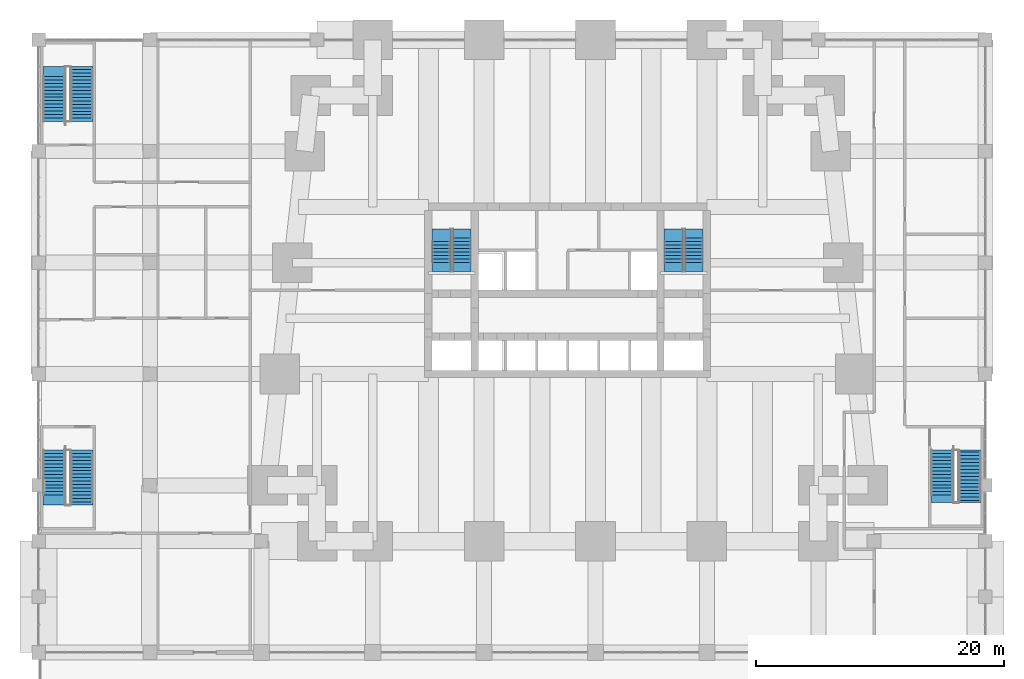
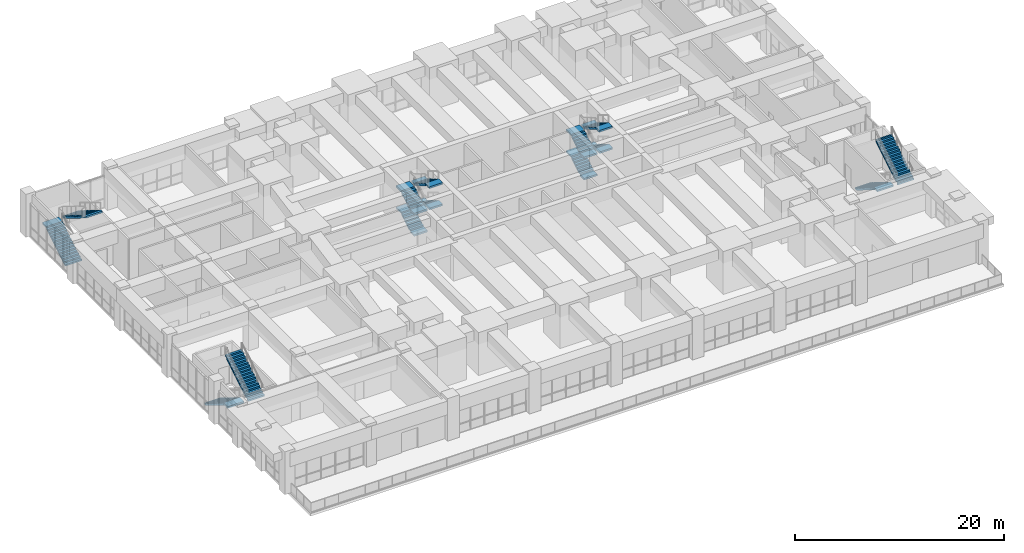
# One storey, part 24 of 27: 14 stair flights, 5 elements without a shape of their own.
"""IFC4 building model written with IfcOpenShell, lengths in metres."""

from ifc_helpers import new_model, si_unit, direction, frame, origin, place, context, subcontext, project, spatial, polyline, outline, extrude, material, type_object, element, aggregate, save


model = new_model("IFC4")

# Units and contexts
model_context = context("Model", 3, precision=1e-05, world=origin(), true_north=direction((0.0, 1.0)))
body_context = subcontext(model_context, "Body", "Model", "MODEL_VIEW")
ifc_project = project(units=[si_unit("LENGTHUNIT", "METRE"), si_unit("AREAUNIT", "SQUARE_METRE"), si_unit("VOLUMEUNIT", "CUBIC_METRE"), si_unit("PLANEANGLEUNIT", "RADIAN"), si_unit("MASSUNIT", "GRAM", prefix="KILO")], contexts=[model_context])

# Site, building, storey
site_placement = place(None, origin())
site = spatial("IfcSite", under=ifc_project, at=site_placement, CompositionType="ELEMENT")
building_placement = place(site_placement, origin())
building = spatial("IfcBuilding", under=site, at=building_placement, Name="Kilele Tower Hotel", CompositionType="ELEMENT")
storey_placement = place(building_placement, frame((0.0, 0.0, 6.0)))
storey = spatial("IfcBuildingStorey", under=building, at=storey_placement, Name="L01", CompositionType="ELEMENT", Elevation=6.0)

# Stair, stair flights
ifc_material_1 = material(Name="Precast concrete C40/50", Category="concrete")
stair_type_1 = type_object("IfcStairType", Name="Stair 1475 x 5000", PredefinedType="HALF_TURN_STAIR", material=ifc_material_1)
stair_1_placement = place(storey_placement, origin())
stair_1 = element("IfcStair", 1, at=stair_1_placement, inside=storey, type_object=stair_type_1, Name="Stair 1 L01", PredefinedType="HALF_TURN_STAIR")
ifc_material_2 = material(Name="Precast concrete C40/50", Category="concrete")
stair_flight_type_1 = type_object("IfcStairFlightType", Name="Flight 1475 riser 166.7", PredefinedType="STRAIGHT", material=ifc_material_2)
stair_flight_1_placement = place(storey_placement, frame((14.53759765625, 22.52001953125, 0.0), z_axis=(0.0, 0.0, 1.0), x_axis=(0.0, 1.0, 0.0)))
stair_flight_1 = element("IfcStairFlight", 2, at=stair_flight_1_placement, type_object=stair_flight_type_1, Name="ST1 flight 1", NumberOfRisers=7, NumberOfTreads=6, PredefinedType="STRAIGHT", RiserHeight=0.166666667, TreadLength=0.28, context=body_context, shape_type="SweptSolid", body=[
    extrude(outline(polyline([(0.0, 0.0), (0.0, 0.166748046875), (0.280029296875, 0.166748046875), (0.280029296875, 0.333251953125), (0.56005859375, 0.333251953125), (0.56005859375, 0.5), (0.840087890625, 0.5), (0.840087890625, 0.666748046875), (1.1201171875, 0.666748046875), (1.1201171875, 0.833251953125), (1.39990234375, 0.833251953125), (1.39990234375, 1.0), (1.679931640625, 1.0), (1.679931640625, 1.166748046875), (1.679931640625, 0.825439453125), (0.29296875, 0.0), (0.0, 0.0)])), frame((0.0, 0.737548828125, 0.0), z_axis=(0.0, -1.0, 0.0), x_axis=(1.0, 0.0, 0.0)), (0.0, 0.0, 1.0), 1.47509765625),
    extrude(outline(polyline([(-0.7451171875, 0.737548828125), (-0.7451171875, -0.7373046875), (0.0, -0.7373046875), (0.0, 0.737548828125), (-0.7451171875, 0.737548828125)])), frame((0.0, 0.0, -0.199951171875)), (0.0, 0.0, 1.0), 0.199951171875),
    extrude(outline(polyline([(1.679931640625, 0.737548828125), (1.679931640625, -0.7373046875), (2.705078125, -0.7373046875), (2.705078125, 0.737548828125), (1.679931640625, 0.737548828125)])), frame((0.0, 0.0, 0.966796875)), (0.0, 0.0, 1.0), 0.199951171875),
])
stair_flight_2_placement = place(storey_placement, frame((16.21240234375, 24.47998046875, 1.166748046875), z_axis=(0.0, 0.0, 1.0), x_axis=(0.0, -1.0, 0.0)))
stair_flight_2 = element("IfcStairFlight", 3, at=stair_flight_2_placement, type_object=stair_flight_type_1, Name="ST1 flight 2", NumberOfRisers=8, NumberOfTreads=7, PredefinedType="STRAIGHT", RiserHeight=0.166666667, TreadLength=0.28, context=body_context, shape_type="SweptSolid", body=[
    extrude(outline(polyline([(0.0, 0.0), (0.0, 0.166748046875), (0.280029296875, 0.166748046875), (0.280029296875, 0.333251953125), (0.56005859375, 0.333251953125), (0.56005859375, 0.5), (0.840087890625, 0.5), (0.840087890625, 0.666748046875), (1.1201171875, 0.666748046875), (1.1201171875, 0.833251953125), (1.39990234375, 0.833251953125), (1.39990234375, 1.0), (1.679931640625, 1.0), (1.679931640625, 1.166748046875), (1.9599609375, 1.166748046875), (1.9599609375, 1.333251953125), (1.9599609375, 0.9921875), (0.29296875, 0.0), (0.0, 0.0)])), frame((0.0, 0.737548828125, 0.0), z_axis=(0.0, -1.0, 0.0), x_axis=(1.0, 0.0, 0.0)), (0.0, 0.0, 1.0), 1.47509765625),
    extrude(outline(polyline([(0.0, -0.7373046875), (0.0, 0.737548828125), (-0.7451171875, 0.737548828125), (-0.7451171875, -0.7373046875), (0.0, -0.7373046875)])), frame((0.0, 0.0, -0.199951171875)), (0.0, 0.0, 1.0), 0.199951171875),
    extrude(outline(polyline([(2.705078125, -0.7373046875), (2.705078125, 0.737548828125), (1.9599609375, 0.737548828125), (1.9599609375, -0.7373046875), (2.705078125, -0.7373046875)])), frame((0.0, 0.0, 1.13330078125)), (0.0, 0.0, 1.0), 0.199951171875),
])
stair_flight_3_placement = place(storey_placement, frame((14.53759765625, 22.52001953125, 2.5), z_axis=(0.0, 0.0, 1.0), x_axis=(0.0, 1.0, 0.0)))
stair_flight_3 = element("IfcStairFlight", 4, at=stair_flight_3_placement, type_object=stair_flight_type_1, Name="ST1 flight 3", NumberOfRisers=7, NumberOfTreads=6, PredefinedType="STRAIGHT", RiserHeight=0.166666667, TreadLength=0.28, context=body_context, shape_type="SweptSolid", body=[
    extrude(outline(polyline([(0.0, 0.0), (0.0, 0.166748046875), (0.280029296875, 0.166748046875), (0.280029296875, 0.333251953125), (0.56005859375, 0.333251953125), (0.56005859375, 0.5), (0.840087890625, 0.5), (0.840087890625, 0.666748046875), (1.1201171875, 0.666748046875), (1.1201171875, 0.833251953125), (1.39990234375, 0.833251953125), (1.39990234375, 1.0), (1.679931640625, 1.0), (1.679931640625, 1.166748046875), (1.679931640625, 0.825439453125), (0.29296875, 0.0), (0.0, 0.0)])), frame((0.0, 0.737548828125, 0.0), z_axis=(0.0, -1.0, 0.0), x_axis=(1.0, 0.0, 0.0)), (0.0, 0.0, 1.0), 1.47509765625),
    extrude(outline(polyline([(-0.7451171875, 0.737548828125), (-0.7451171875, -0.7373046875), (0.0, -0.7373046875), (0.0, 0.737548828125), (-0.7451171875, 0.737548828125)])), frame((0.0, 0.0, -0.199951171875)), (0.0, 0.0, 1.0), 0.199951171875),
    extrude(outline(polyline([(1.679931640625, 0.737548828125), (1.679931640625, -0.7373046875), (2.705078125, -0.7373046875), (2.705078125, 0.737548828125), (1.679931640625, 0.737548828125)])), frame((0.0, 0.0, 0.966796875)), (0.0, 0.0, 1.0), 0.199951171875),
])
stair_flight_4_placement = place(storey_placement, frame((16.21240234375, 24.47998046875, 3.666748046875), z_axis=(0.0, 0.0, 1.0), x_axis=(0.0, -1.0, 0.0)))
stair_flight_4 = element("IfcStairFlight", 5, at=stair_flight_4_placement, type_object=stair_flight_type_1, Name="ST1 flight 4", NumberOfRisers=8, NumberOfTreads=7, PredefinedType="STRAIGHT", RiserHeight=0.166666667, TreadLength=0.28, context=body_context, shape_type="SweptSolid", body=[
    extrude(outline(polyline([(0.0, 0.0), (0.0, 0.166748046875), (0.280029296875, 0.166748046875), (0.280029296875, 0.333251953125), (0.56005859375, 0.333251953125), (0.56005859375, 0.5), (0.840087890625, 0.5), (0.840087890625, 0.666748046875), (1.1201171875, 0.666748046875), (1.1201171875, 0.833251953125), (1.39990234375, 0.833251953125), (1.39990234375, 1.0), (1.679931640625, 1.0), (1.679931640625, 1.166748046875), (1.9599609375, 1.166748046875), (1.9599609375, 1.333251953125), (1.9599609375, 0.9921875), (0.29296875, 0.0), (0.0, 0.0)])), frame((0.0, 0.737548828125, 0.0), z_axis=(0.0, -1.0, 0.0), x_axis=(1.0, 0.0, 0.0)), (0.0, 0.0, 1.0), 1.47509765625),
    extrude(outline(polyline([(0.0, -0.7373046875), (0.0, 0.737548828125), (-0.7451171875, 0.737548828125), (-0.7451171875, -0.7373046875), (0.0, -0.7373046875)])), frame((0.0, 0.0, -0.199951171875)), (0.0, 0.0, 1.0), 0.199951171875),
    extrude(outline(polyline([(2.705078125, -0.7373046875), (2.705078125, 0.737548828125), (1.9599609375, 0.737548828125), (1.9599609375, -0.7373046875), (2.705078125, -0.7373046875)])), frame((0.0, 0.0, 1.13330078125)), (0.0, 0.0, 1.0), 0.199951171875),
])
aggregate(stair_1, [stair_flight_1, stair_flight_2, stair_flight_3, stair_flight_4])

stair_2_placement = place(storey_placement, origin())
stair_2 = element("IfcStair", 6, at=stair_2_placement, inside=storey, type_object=stair_type_1, Name="Stair 2 L01", PredefinedType="HALF_TURN_STAIR")
stair_flight_5_placement = place(storey_placement, frame((33.28759765625, 22.52001953125, 0.0), z_axis=(0.0, 0.0, 1.0), x_axis=(0.0, 1.0, 0.0)))
stair_flight_5 = element("IfcStairFlight", 7, at=stair_flight_5_placement, type_object=stair_flight_type_1, Name="ST2 flight 1", NumberOfRisers=7, NumberOfTreads=6, PredefinedType="STRAIGHT", RiserHeight=0.166666667, TreadLength=0.28, context=body_context, shape_type="SweptSolid", body=[
    extrude(outline(polyline([(0.0, 0.0), (0.0, 0.166748046875), (0.280029296875, 0.166748046875), (0.280029296875, 0.333251953125), (0.56005859375, 0.333251953125), (0.56005859375, 0.5), (0.840087890625, 0.5), (0.840087890625, 0.666748046875), (1.1201171875, 0.666748046875), (1.1201171875, 0.833251953125), (1.39990234375, 0.833251953125), (1.39990234375, 1.0), (1.679931640625, 1.0), (1.679931640625, 1.166748046875), (1.679931640625, 0.825439453125), (0.29296875, 0.0), (0.0, 0.0)])), frame((0.0, 0.737548828125, 0.0), z_axis=(0.0, -1.0, 0.0), x_axis=(1.0, 0.0, 0.0)), (0.0, 0.0, 1.0), 1.47509765625),
    extrude(outline(polyline([(-0.7451171875, 0.737548828125), (-0.7451171875, -0.7373046875), (0.0, -0.7373046875), (0.0, 0.737548828125), (-0.7451171875, 0.737548828125)])), frame((0.0, 0.0, -0.199951171875)), (0.0, 0.0, 1.0), 0.199951171875),
    extrude(outline(polyline([(1.679931640625, 0.737548828125), (1.679931640625, -0.7373046875), (2.705078125, -0.7373046875), (2.705078125, 0.737548828125), (1.679931640625, 0.737548828125)])), frame((0.0, 0.0, 0.966796875)), (0.0, 0.0, 1.0), 0.199951171875),
])
stair_flight_6_placement = place(storey_placement, frame((34.96240234375, 24.47998046875, 1.166748046875), z_axis=(0.0, 0.0, 1.0), x_axis=(0.0, -1.0, 0.0)))
stair_flight_6 = element("IfcStairFlight", 8, at=stair_flight_6_placement, type_object=stair_flight_type_1, Name="ST2 flight 2", NumberOfRisers=8, NumberOfTreads=7, PredefinedType="STRAIGHT", RiserHeight=0.166666667, TreadLength=0.28, context=body_context, shape_type="SweptSolid", body=[
    extrude(outline(polyline([(0.0, 0.0), (0.0, 0.166748046875), (0.280029296875, 0.166748046875), (0.280029296875, 0.333251953125), (0.56005859375, 0.333251953125), (0.56005859375, 0.5), (0.840087890625, 0.5), (0.840087890625, 0.666748046875), (1.1201171875, 0.666748046875), (1.1201171875, 0.833251953125), (1.39990234375, 0.833251953125), (1.39990234375, 1.0), (1.679931640625, 1.0), (1.679931640625, 1.166748046875), (1.9599609375, 1.166748046875), (1.9599609375, 1.333251953125), (1.9599609375, 0.9921875), (0.29296875, 0.0), (0.0, 0.0)])), frame((0.0, 0.737548828125, 0.0), z_axis=(0.0, -1.0, 0.0), x_axis=(1.0, 0.0, 0.0)), (0.0, 0.0, 1.0), 1.47509765625),
    extrude(outline(polyline([(0.0, -0.7373046875), (0.0, 0.737548828125), (-0.7451171875, 0.737548828125), (-0.7451171875, -0.7373046875), (0.0, -0.7373046875)])), frame((0.0, 0.0, -0.199951171875)), (0.0, 0.0, 1.0), 0.199951171875),
    extrude(outline(polyline([(2.705078125, -0.7373046875), (2.705078125, 0.737548828125), (1.9599609375, 0.737548828125), (1.9599609375, -0.7373046875), (2.705078125, -0.7373046875)])), frame((0.0, 0.0, 1.13330078125)), (0.0, 0.0, 1.0), 0.199951171875),
])
stair_flight_7_placement = place(storey_placement, frame((33.28759765625, 22.52001953125, 2.5), z_axis=(0.0, 0.0, 1.0), x_axis=(0.0, 1.0, 0.0)))
stair_flight_7 = element("IfcStairFlight", 9, at=stair_flight_7_placement, type_object=stair_flight_type_1, Name="ST2 flight 3", NumberOfRisers=7, NumberOfTreads=6, PredefinedType="STRAIGHT", RiserHeight=0.166666667, TreadLength=0.28, context=body_context, shape_type="SweptSolid", body=[
    extrude(outline(polyline([(0.0, 0.0), (0.0, 0.166748046875), (0.280029296875, 0.166748046875), (0.280029296875, 0.333251953125), (0.56005859375, 0.333251953125), (0.56005859375, 0.5), (0.840087890625, 0.5), (0.840087890625, 0.666748046875), (1.1201171875, 0.666748046875), (1.1201171875, 0.833251953125), (1.39990234375, 0.833251953125), (1.39990234375, 1.0), (1.679931640625, 1.0), (1.679931640625, 1.166748046875), (1.679931640625, 0.825439453125), (0.29296875, 0.0), (0.0, 0.0)])), frame((0.0, 0.737548828125, 0.0), z_axis=(0.0, -1.0, 0.0), x_axis=(1.0, 0.0, 0.0)), (0.0, 0.0, 1.0), 1.47509765625),
    extrude(outline(polyline([(-0.7451171875, 0.737548828125), (-0.7451171875, -0.7373046875), (0.0, -0.7373046875), (0.0, 0.737548828125), (-0.7451171875, 0.737548828125)])), frame((0.0, 0.0, -0.199951171875)), (0.0, 0.0, 1.0), 0.199951171875),
    extrude(outline(polyline([(1.679931640625, 0.737548828125), (1.679931640625, -0.7373046875), (2.705078125, -0.7373046875), (2.705078125, 0.737548828125), (1.679931640625, 0.737548828125)])), frame((0.0, 0.0, 0.966796875)), (0.0, 0.0, 1.0), 0.199951171875),
])
stair_flight_8_placement = place(storey_placement, frame((34.96240234375, 24.47998046875, 3.666748046875), z_axis=(0.0, 0.0, 1.0), x_axis=(0.0, -1.0, 0.0)))
stair_flight_8 = element("IfcStairFlight", 10, at=stair_flight_8_placement, type_object=stair_flight_type_1, Name="ST2 flight 4", NumberOfRisers=8, NumberOfTreads=7, PredefinedType="STRAIGHT", RiserHeight=0.166666667, TreadLength=0.28, context=body_context, shape_type="SweptSolid", body=[
    extrude(outline(polyline([(0.0, 0.0), (0.0, 0.166748046875), (0.280029296875, 0.166748046875), (0.280029296875, 0.333251953125), (0.56005859375, 0.333251953125), (0.56005859375, 0.5), (0.840087890625, 0.5), (0.840087890625, 0.666748046875), (1.1201171875, 0.666748046875), (1.1201171875, 0.833251953125), (1.39990234375, 0.833251953125), (1.39990234375, 1.0), (1.679931640625, 1.0), (1.679931640625, 1.166748046875), (1.9599609375, 1.166748046875), (1.9599609375, 1.333251953125), (1.9599609375, 0.9921875), (0.29296875, 0.0), (0.0, 0.0)])), frame((0.0, 0.737548828125, 0.0), z_axis=(0.0, -1.0, 0.0), x_axis=(1.0, 0.0, 0.0)), (0.0, 0.0, 1.0), 1.47509765625),
    extrude(outline(polyline([(0.0, -0.7373046875), (0.0, 0.737548828125), (-0.7451171875, 0.737548828125), (-0.7451171875, -0.7373046875), (0.0, -0.7373046875)])), frame((0.0, 0.0, -0.199951171875)), (0.0, 0.0, 1.0), 0.199951171875),
    extrude(outline(polyline([(2.705078125, -0.7373046875), (2.705078125, 0.737548828125), (1.9599609375, 0.737548828125), (1.9599609375, -0.7373046875), (2.705078125, -0.7373046875)])), frame((0.0, 0.0, 1.13330078125)), (0.0, 0.0, 1.0), 0.199951171875),
])
aggregate(stair_2, [stair_flight_5, stair_flight_6, stair_flight_7, stair_flight_8])

ifc_material_3 = material(Name="Precast concrete C40/50", Category="concrete")
stair_type_2 = type_object("IfcStairType", Name="Stair 1800 x 5000", PredefinedType="HALF_TURN_STAIR", material=ifc_material_3)
stair_3_placement = place(storey_placement, origin())
stair_3 = element("IfcStair", 11, at=stair_3_placement, inside=storey, type_object=stair_type_2, Name="Stair 3 L01", PredefinedType="HALF_TURN_STAIR")
ifc_material_4 = material(Name="Precast concrete C40/50", Category="concrete")
stair_flight_type_2 = type_object("IfcStairFlightType", Name="Flight 1800 riser 172.4", PredefinedType="STRAIGHT", material=ifc_material_4)
stair_flight_9_placement = place(storey_placement, frame((-16.75, 33.89990234375, 0.0), z_axis=(0.0, 0.0, 1.0), x_axis=(0.0, 1.0, 0.0)))
stair_flight_9 = element("IfcStairFlight", 12, at=stair_flight_9_placement, type_object=stair_flight_type_2, Name="ST3 flight 1", NumberOfRisers=14, NumberOfTreads=13, PredefinedType="STRAIGHT", RiserHeight=0.172413793, TreadLength=0.28, context=body_context, shape_type="SweptSolid", body=[
    extrude(outline(polyline([(0.0, 0.0), (0.0, 0.17236328125), (0.280029296875, 0.17236328125), (0.280029296875, 0.3447265625), (0.56005859375, 0.3447265625), (0.56005859375, 0.517333984375), (0.840087890625, 0.517333984375), (0.840087890625, 0.689697265625), (1.1201171875, 0.689697265625), (1.1201171875, 0.862060546875), (1.39990234375, 0.862060546875), (1.39990234375, 1.034423828125), (1.679931640625, 1.034423828125), (1.679931640625, 1.206787109375), (1.9599609375, 1.206787109375), (1.9599609375, 1.37939453125), (2.239990234375, 1.37939453125), (2.239990234375, 1.5517578125), (2.52001953125, 1.5517578125), (2.52001953125, 1.72412109375), (2.800048828125, 1.72412109375), (2.800048828125, 1.896484375), (3.080078125, 1.896484375), (3.080078125, 2.06884765625), (3.360107421875, 2.06884765625), (3.360107421875, 2.241455078125), (3.639892578125, 2.241455078125), (3.639892578125, 2.413818359375), (3.639892578125, 2.0654296875), (0.285888671875, 0.0), (0.0, 0.0)])), frame((0.0, 0.89990234375, 0.0), z_axis=(0.0, -1.0, 0.0), x_axis=(1.0, 0.0, 0.0)), (0.0, 0.0, 1.0), 1.800048828125),
    extrude(outline(polyline([(3.64013671875, 0.89990234375), (3.64013671875, -0.89990234375), (4.4501953125, -0.89990234375), (4.4501953125, 0.89990234375), (3.64013671875, 0.89990234375)])), frame((0.0, 0.0, 2.2138671875)), (0.0, 0.0, 1.0), 0.199951171875),
])
stair_flight_10_placement = place(storey_placement, frame((-14.5, 38.0849609375, 2.413818359375), z_axis=(0.0, 0.0, 1.0), x_axis=(0.0, -1.0, 0.0)))
stair_flight_10 = element("IfcStairFlight", 13, at=stair_flight_10_placement, type_object=stair_flight_type_2, Name="ST3 flight 2", NumberOfRisers=15, NumberOfTreads=14, PredefinedType="STRAIGHT", RiserHeight=0.172413793, TreadLength=0.28, context=body_context, shape_type="SweptSolid", body=[
    extrude(outline(polyline([(0.0, 0.0), (0.0, 0.17236328125), (0.280029296875, 0.17236328125), (0.280029296875, 0.3447265625), (0.56005859375, 0.3447265625), (0.56005859375, 0.517333984375), (0.840087890625, 0.517333984375), (0.840087890625, 0.689697265625), (1.1201171875, 0.689697265625), (1.1201171875, 0.862060546875), (1.39990234375, 0.862060546875), (1.39990234375, 1.034423828125), (1.679931640625, 1.034423828125), (1.679931640625, 1.206787109375), (1.9599609375, 1.206787109375), (1.9599609375, 1.37939453125), (2.239990234375, 1.37939453125), (2.239990234375, 1.5517578125), (2.52001953125, 1.5517578125), (2.52001953125, 1.72412109375), (2.800048828125, 1.72412109375), (2.800048828125, 1.896484375), (3.080078125, 1.896484375), (3.080078125, 2.06884765625), (3.360107421875, 2.06884765625), (3.360107421875, 2.241455078125), (3.639892578125, 2.241455078125), (3.639892578125, 2.413818359375), (3.919921875, 2.413818359375), (3.919921875, 2.586181640625), (3.919921875, 2.23779296875), (0.285888671875, 0.0), (0.0, 0.0)])), frame((0.0, 0.89990234375, 0.0), z_axis=(0.0, -1.0, 0.0), x_axis=(1.0, 0.0, 0.0)), (0.0, 0.0, 1.0), 1.800048828125),
    extrude(outline(polyline([(0.0, -0.89990234375), (0.0, 0.89990234375), (-0.26513671875, 0.89990234375), (-0.26513671875, -0.89990234375), (0.0, -0.89990234375)])), frame((0.0, 0.0, -0.199951171875)), (0.0, 0.0, 1.0), 0.199951171875),
    extrude(outline(polyline([(4.18505859375, -0.89990234375), (4.18505859375, 0.89990234375), (3.919921875, 0.89990234375), (3.919921875, -0.89990234375), (4.18505859375, -0.89990234375)])), frame((0.0, 0.0, 2.38623046875)), (0.0, 0.0, 1.0), 0.199951171875),
])
aggregate(stair_3, [stair_flight_9, stair_flight_10])

stair_4_placement = place(storey_placement, origin())
stair_4 = element("IfcStair", 14, at=stair_4_placement, inside=storey, type_object=stair_type_2, Name="Stair 4 L01", PredefinedType="HALF_TURN_STAIR")
stair_flight_11_placement = place(storey_placement, frame((-16.75, 7.35009765625, 0.0), z_axis=(0.0, 0.0, 1.0), x_axis=(0.0, -1.0, 0.0)))
stair_flight_11 = element("IfcStairFlight", 15, at=stair_flight_11_placement, type_object=stair_flight_type_2, Name="ST4 flight 1", NumberOfRisers=14, NumberOfTreads=13, PredefinedType="STRAIGHT", RiserHeight=0.172413793, TreadLength=0.28, context=body_context, shape_type="SweptSolid", body=[
    extrude(outline(polyline([(0.0, 0.0), (0.0, 0.17236328125), (0.280029296875, 0.17236328125), (0.280029296875, 0.3447265625), (0.56005859375, 0.3447265625), (0.56005859375, 0.517333984375), (0.840087890625, 0.517333984375), (0.840087890625, 0.689697265625), (1.1201171875, 0.689697265625), (1.1201171875, 0.862060546875), (1.39990234375, 0.862060546875), (1.39990234375, 1.034423828125), (1.679931640625, 1.034423828125), (1.679931640625, 1.206787109375), (1.9599609375, 1.206787109375), (1.9599609375, 1.37939453125), (2.239990234375, 1.37939453125), (2.239990234375, 1.5517578125), (2.52001953125, 1.5517578125), (2.52001953125, 1.72412109375), (2.800048828125, 1.72412109375), (2.800048828125, 1.896484375), (3.080078125, 1.896484375), (3.080078125, 2.06884765625), (3.360107421875, 2.06884765625), (3.360107421875, 2.241455078125), (3.639892578125, 2.241455078125), (3.639892578125, 2.413818359375), (3.639892578125, 2.0654296875), (0.285888671875, 0.0), (0.0, 0.0)])), frame((0.0, 0.89990234375, 0.0), z_axis=(0.0, -1.0, 0.0), x_axis=(1.0, 0.0, 0.0)), (0.0, 0.0, 1.0), 1.800048828125),
    extrude(outline(polyline([(4.4501953125, -0.89990234375), (4.4501953125, 0.89990234375), (3.64013671875, 0.89990234375), (3.64013671875, -0.89990234375), (4.4501953125, -0.89990234375)])), frame((0.0, 0.0, 2.2138671875)), (0.0, 0.0, 1.0), 0.199951171875),
])
stair_flight_12_placement = place(storey_placement, frame((-14.5, 3.1650390625, 2.413818359375), z_axis=(0.0, 0.0, 1.0), x_axis=(0.0, 1.0, 0.0)))
stair_flight_12 = element("IfcStairFlight", 16, at=stair_flight_12_placement, type_object=stair_flight_type_2, Name="ST4 flight 2", NumberOfRisers=15, NumberOfTreads=14, PredefinedType="STRAIGHT", RiserHeight=0.172413793, TreadLength=0.28, context=body_context, shape_type="SweptSolid", body=[
    extrude(outline(polyline([(0.0, 0.0), (0.0, 0.17236328125), (0.280029296875, 0.17236328125), (0.280029296875, 0.3447265625), (0.56005859375, 0.3447265625), (0.56005859375, 0.517333984375), (0.840087890625, 0.517333984375), (0.840087890625, 0.689697265625), (1.1201171875, 0.689697265625), (1.1201171875, 0.862060546875), (1.39990234375, 0.862060546875), (1.39990234375, 1.034423828125), (1.679931640625, 1.034423828125), (1.679931640625, 1.206787109375), (1.9599609375, 1.206787109375), (1.9599609375, 1.37939453125), (2.239990234375, 1.37939453125), (2.239990234375, 1.5517578125), (2.52001953125, 1.5517578125), (2.52001953125, 1.72412109375), (2.800048828125, 1.72412109375), (2.800048828125, 1.896484375), (3.080078125, 1.896484375), (3.080078125, 2.06884765625), (3.360107421875, 2.06884765625), (3.360107421875, 2.241455078125), (3.639892578125, 2.241455078125), (3.639892578125, 2.413818359375), (3.919921875, 2.413818359375), (3.919921875, 2.586181640625), (3.919921875, 2.23779296875), (0.285888671875, 0.0), (0.0, 0.0)])), frame((0.0, 0.89990234375, 0.0), z_axis=(0.0, -1.0, 0.0), x_axis=(1.0, 0.0, 0.0)), (0.0, 0.0, 1.0), 1.800048828125),
    extrude(outline(polyline([(-0.26513671875, 0.89990234375), (-0.26513671875, -0.89990234375), (0.0, -0.89990234375), (0.0, 0.89990234375), (-0.26513671875, 0.89990234375)])), frame((0.0, 0.0, -0.199951171875)), (0.0, 0.0, 1.0), 0.199951171875),
    extrude(outline(polyline([(3.919921875, 0.89990234375), (3.919921875, -0.89990234375), (4.18505859375, -0.89990234375), (4.18505859375, 0.89990234375), (3.919921875, 0.89990234375)])), frame((0.0, 0.0, 2.38623046875)), (0.0, 0.0, 1.0), 0.199951171875),
])
aggregate(stair_4, [stair_flight_11, stair_flight_12])

stair_5_placement = place(storey_placement, origin())
stair_5 = element("IfcStair", 17, at=stair_5_placement, inside=storey, type_object=stair_type_2, Name="Stair 5 L01", PredefinedType="HALF_TURN_STAIR")
stair_flight_13_placement = place(storey_placement, frame((55.0, 7.35009765625, 0.0), z_axis=(0.0, 0.0, 1.0), x_axis=(0.0, -1.0, 0.0)))
stair_flight_13 = element("IfcStairFlight", 18, at=stair_flight_13_placement, type_object=stair_flight_type_2, Name="ST5 flight 1", NumberOfRisers=14, NumberOfTreads=13, PredefinedType="STRAIGHT", RiserHeight=0.172413793, TreadLength=0.28, context=body_context, shape_type="SweptSolid", body=[
    extrude(outline(polyline([(0.0, 0.0), (0.0, 0.17236328125), (0.280029296875, 0.17236328125), (0.280029296875, 0.3447265625), (0.56005859375, 0.3447265625), (0.56005859375, 0.517333984375), (0.840087890625, 0.517333984375), (0.840087890625, 0.689697265625), (1.1201171875, 0.689697265625), (1.1201171875, 0.862060546875), (1.39990234375, 0.862060546875), (1.39990234375, 1.034423828125), (1.679931640625, 1.034423828125), (1.679931640625, 1.206787109375), (1.9599609375, 1.206787109375), (1.9599609375, 1.37939453125), (2.239990234375, 1.37939453125), (2.239990234375, 1.5517578125), (2.52001953125, 1.5517578125), (2.52001953125, 1.72412109375), (2.800048828125, 1.72412109375), (2.800048828125, 1.896484375), (3.080078125, 1.896484375), (3.080078125, 2.06884765625), (3.360107421875, 2.06884765625), (3.360107421875, 2.241455078125), (3.639892578125, 2.241455078125), (3.639892578125, 2.413818359375), (3.639892578125, 2.0654296875), (0.285888671875, 0.0), (0.0, 0.0)])), frame((0.0, 0.89990234375, 0.0), z_axis=(0.0, -1.0, 0.0), x_axis=(1.0, 0.0, 0.0)), (0.0, 0.0, 1.0), 1.800048828125),
    extrude(outline(polyline([(4.25, -0.89990234375), (4.25, 0.89990234375), (3.64013671875, 0.89990234375), (3.64013671875, -0.89990234375), (4.25, -0.89990234375)])), frame((0.0, 0.0, 2.2138671875)), (0.0, 0.0, 1.0), 0.199951171875),
])
stair_flight_14_placement = place(storey_placement, frame((57.25, 3.264892578125, 2.413818359375), z_axis=(0.0, 0.0, 1.0), x_axis=(0.0, 1.0, 0.0)))
stair_flight_14 = element("IfcStairFlight", 19, at=stair_flight_14_placement, type_object=stair_flight_type_2, Name="ST5 flight 2", NumberOfRisers=15, NumberOfTreads=14, PredefinedType="STRAIGHT", RiserHeight=0.172413793, TreadLength=0.28, context=body_context, shape_type="SweptSolid", body=[
    extrude(outline(polyline([(0.0, 0.0), (0.0, 0.17236328125), (0.280029296875, 0.17236328125), (0.280029296875, 0.3447265625), (0.56005859375, 0.3447265625), (0.56005859375, 0.517333984375), (0.840087890625, 0.517333984375), (0.840087890625, 0.689697265625), (1.1201171875, 0.689697265625), (1.1201171875, 0.862060546875), (1.39990234375, 0.862060546875), (1.39990234375, 1.034423828125), (1.679931640625, 1.034423828125), (1.679931640625, 1.206787109375), (1.9599609375, 1.206787109375), (1.9599609375, 1.37939453125), (2.239990234375, 1.37939453125), (2.239990234375, 1.5517578125), (2.52001953125, 1.5517578125), (2.52001953125, 1.72412109375), (2.800048828125, 1.72412109375), (2.800048828125, 1.896484375), (3.080078125, 1.896484375), (3.080078125, 2.06884765625), (3.360107421875, 2.06884765625), (3.360107421875, 2.241455078125), (3.639892578125, 2.241455078125), (3.639892578125, 2.413818359375), (3.919921875, 2.413818359375), (3.919921875, 2.586181640625), (3.919921875, 2.23779296875), (0.285888671875, 0.0), (0.0, 0.0)])), frame((0.0, 0.89990234375, 0.0), z_axis=(0.0, -1.0, 0.0), x_axis=(1.0, 0.0, 0.0)), (0.0, 0.0, 1.0), 1.800048828125),
    extrude(outline(polyline([(-0.164794921875, 0.89990234375), (-0.164794921875, -0.89990234375), (0.0, -0.89990234375), (0.0, 0.89990234375), (-0.164794921875, 0.89990234375)])), frame((0.0, 0.0, -0.199951171875)), (0.0, 0.0, 1.0), 0.199951171875),
    extrude(outline(polyline([(3.920166015625, 0.89990234375), (3.920166015625, -0.89990234375), (4.085205078125, -0.89990234375), (4.085205078125, 0.89990234375), (3.920166015625, 0.89990234375)])), frame((0.0, 0.0, 2.38623046875)), (0.0, 0.0, 1.0), 0.199951171875),
])
aggregate(stair_5, [stair_flight_13, stair_flight_14])

save(model, "model.ifc")
